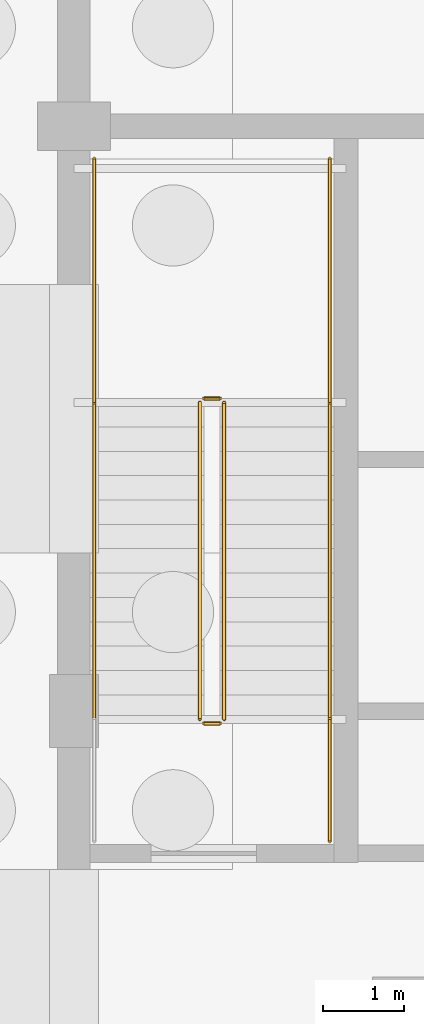
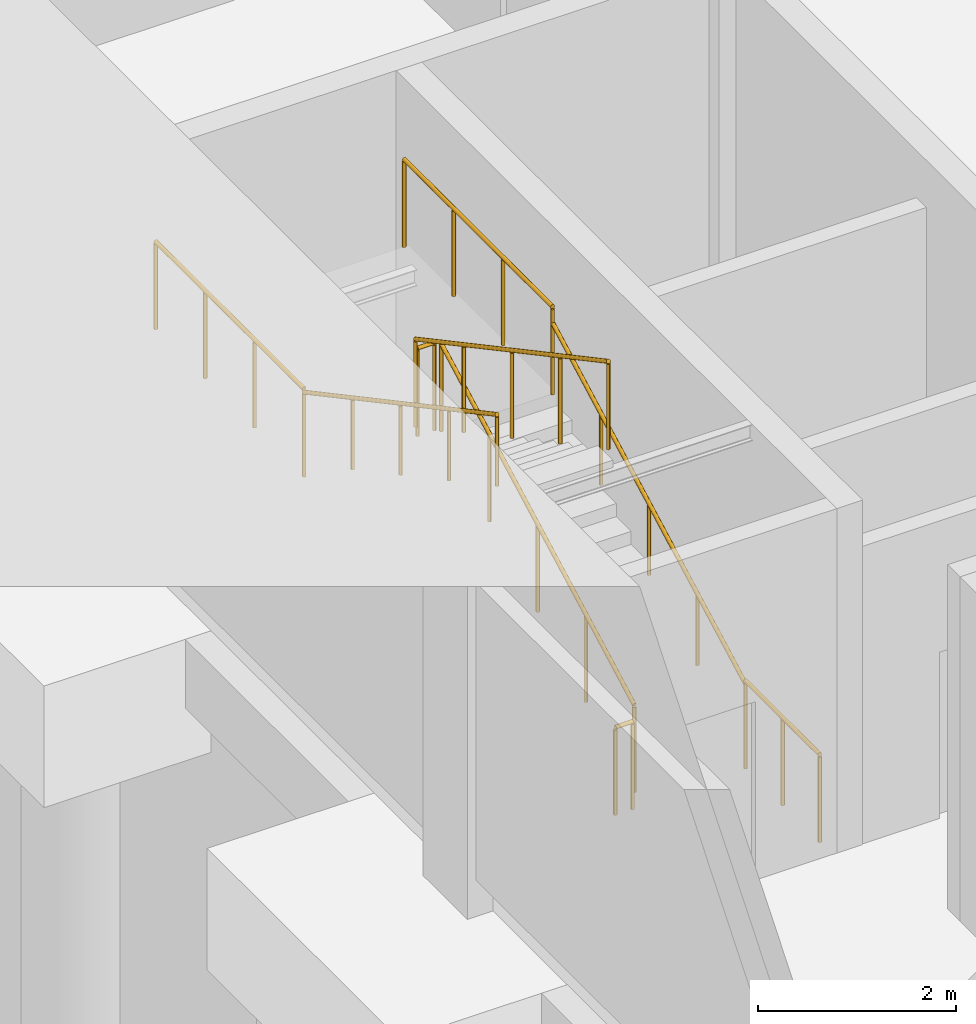
# One storey, part 44 of 51: 9 railings.
"""IFC4 building model written with IfcOpenShell, lengths in metres."""

from ifc_helpers import new_model, si_unit, direction, frame, origin, origin_2d, place, context, subcontext, project, spatial, circle, extrude, material, type_object, element, save


model = new_model("IFC4")

# Units and contexts
model_context = context("Model", 3, precision=1e-05, world=origin(), true_north=direction((0.0, 1.0)))
body_context = subcontext(model_context, "Body", "Model", "MODEL_VIEW")
ifc_project = project(units=[si_unit("LENGTHUNIT", "METRE"), si_unit("AREAUNIT", "SQUARE_METRE"), si_unit("VOLUMEUNIT", "CUBIC_METRE"), si_unit("PLANEANGLEUNIT", "RADIAN"), si_unit("MASSUNIT", "GRAM", prefix="KILO")], contexts=[model_context])

# Site, building, storey
site_placement = place(None, origin())
site = spatial("IfcSite", under=ifc_project, at=site_placement, CompositionType="ELEMENT")
building_placement = place(site_placement, origin())
building = spatial("IfcBuilding", under=site, at=building_placement, Name="Zlatovets Crest Museum", CompositionType="ELEMENT")
storey_placement = place(building_placement, frame((0.0, 0.0, -4.5)))
storey = spatial("IfcBuildingStorey", under=building, at=storey_placement, Name="B1", CompositionType="ELEMENT", Elevation=-4.5)

# Railings
ifc_material_1 = material(Name="Painted steel safety guardrail", Category="steel")
railing_type_1 = type_object("IfcRailingType", Name="StairGuard_SG01", PredefinedType="GUARDRAIL", material=ifc_material_1)
railing_1_placement = place(storey_placement, frame((59.449951171875, 100.699951171875, 0.16064453125)))
element("IfcRailing", 1, at=railing_1_placement, inside=storey, type_object=railing_type_1, Name="B1 ST1 stair guard 1", PredefinedType="GUARDRAIL", context=body_context, shape_type="SweptSolid", body=[
    extrude(circle(Radius=0.02392578125, at=origin_2d()), frame((0.0, 0.0, 1.076171875), z_axis=(0.0, 0.881480790326, 0.47221988129), x_axis=(-1.0, 0.0, 0.0)), (0.0, 0.0, 1.0), 4.424560546875),
    extrude(circle(Radius=0.02099609375, at=origin_2d()), origin(), (0.0, 0.0, 1.0), 1.052001953125),
    extrude(circle(Radius=0.02099609375, at=origin_2d()), frame((0.0, 0.97509765625, 0.5224609375)), (0.0, 0.0, 1.0), 1.052001953125),
    extrude(circle(Radius=0.02099609375, at=origin_2d()), frame((0.0, 1.9501953125, 1.044677734375)), (0.0, 0.0, 1.0), 1.052001953125),
    extrude(circle(Radius=0.02099609375, at=origin_2d()), frame((0.0, 2.925048828125, 1.56689453125)), (0.0, 0.0, 1.0), 1.052001953125),
    extrude(circle(Radius=0.02099609375, at=origin_2d()), frame((0.0, 3.900146484375, 2.08935546875)), (0.0, 0.0, 1.0), 1.052001953125),
])
railing_2_placement = place(storey_placement, frame((59.39990234375, 104.64990234375, 2.25)))
element("IfcRailing", 2, at=railing_2_placement, inside=storey, type_object=railing_type_1, Name="B1 ST1 stair guard 2", PredefinedType="GUARDRAIL", context=body_context, shape_type="SweptSolid", body=[
    extrude(circle(Radius=0.02392578125, at=origin_2d()), frame((0.0, 0.0, 1.076171875), z_axis=(-1.0, 0.0, 0.0), x_axis=(0.0, -1.0, 0.0)), (0.0, 0.0, 1.0), 0.199951171875),
    extrude(circle(Radius=0.02099609375, at=origin_2d()), origin(), (0.0, 0.0, 1.0), 1.052001953125),
    extrude(circle(Radius=0.02099609375, at=origin_2d()), frame((-0.199951171875, 0.0, 0.0)), (0.0, 0.0, 1.0), 1.052001953125),
])
for number, where, name in (
    (3, (60.75, 104.60009765625, 2.25), "B1 ST1 stair guard 3"),
    (4, (57.85009765625, 104.60009765625, 2.25), "B1 ST1 stair guard 4"),
):
    element("IfcRailing", number, at=place(storey_placement, frame(where)), inside=storey, type_object=railing_type_1, Name=name, PredefinedType="GUARDRAIL", context=body_context, shape_type="SweptSolid", body=[
        extrude(circle(Radius=0.02392578125, at=origin_2d()), frame((0.0, 0.0, 1.076171875), z_axis=(0.0, 1.0, 0.0), x_axis=(-1.0, 0.0, 0.0)), (0.0, 0.0, 1.0), 3.0),
        extrude(circle(Radius=0.02099609375, at=origin_2d()), origin(), (0.0, 0.0, 1.0), 1.052001953125),
        extrude(circle(Radius=0.02099609375, at=origin_2d()), frame((0.0, 1.0, 0.0)), (0.0, 0.0, 1.0), 1.052001953125),
        extrude(circle(Radius=0.02099609375, at=origin_2d()), frame((0.0, 2.0, 0.0)), (0.0, 0.0, 1.0), 1.052001953125),
        extrude(circle(Radius=0.02099609375, at=origin_2d()), frame((0.0, 3.0, 0.0)), (0.0, 0.0, 1.0), 1.052001953125),
    ])
railing_3_placement = place(storey_placement, frame((59.14990234375, 104.60009765625, 2.41064453125)))
element("IfcRailing", 5, at=railing_3_placement, inside=storey, type_object=railing_type_1, Name="B1 ST1 stair guard 5", PredefinedType="GUARDRAIL", context=body_context, shape_type="SweptSolid", body=[
    extrude(circle(Radius=0.02392578125, at=origin_2d()), frame((0.0, 0.0, 1.076171875), z_axis=(0.0, -0.881480790326, 0.47221988129), x_axis=(1.0, 0.0, 0.0)), (0.0, 0.0, 1.0), 4.424560546875),
    extrude(circle(Radius=0.02099609375, at=origin_2d()), origin(), (0.0, 0.0, 1.0), 1.052001953125),
    extrude(circle(Radius=0.02099609375, at=origin_2d()), frame((0.0, -0.97509765625, 0.5224609375)), (0.0, 0.0, 1.0), 1.052001953125),
    extrude(circle(Radius=0.02099609375, at=origin_2d()), frame((0.0, -1.9501953125, 1.044677734375)), (0.0, 0.0, 1.0), 1.052001953125),
    extrude(circle(Radius=0.02099609375, at=origin_2d()), frame((0.0, -2.925048828125, 1.56689453125)), (0.0, 0.0, 1.0), 1.052001953125),
    extrude(circle(Radius=0.02099609375, at=origin_2d()), frame((0.0, -3.900146484375, 2.08935546875)), (0.0, 0.0, 1.0), 1.052001953125),
])
railing_4_placement = place(storey_placement, frame((59.39990234375, 100.64990234375, 0.0)))
element("IfcRailing", 6, at=railing_4_placement, inside=storey, type_object=railing_type_1, Name="B1 ST1 stair guard 6", PredefinedType="GUARDRAIL", context=body_context, shape_type="SweptSolid", body=[
    extrude(circle(Radius=0.02392578125, at=origin_2d()), frame((0.0, 0.0, 1.076171875), z_axis=(-1.0, 0.0, 0.0), x_axis=(0.0, -1.0, 0.0)), (0.0, 0.0, 1.0), 0.199951171875),
    extrude(circle(Radius=0.02099609375, at=origin_2d()), origin(), (0.0, 0.0, 1.0), 1.052001953125),
    extrude(circle(Radius=0.02099609375, at=origin_2d()), frame((-0.199951171875, 0.0, 0.0)), (0.0, 0.0, 1.0), 1.052001953125),
])
railing_5_placement = place(storey_placement, frame((60.75, 99.199951171875, 0.0)))
element("IfcRailing", 7, at=railing_5_placement, inside=storey, type_object=railing_type_1, Name="B1 ST1 stair guard 7", PredefinedType="GUARDRAIL", context=body_context, shape_type="SweptSolid", body=[
    extrude(circle(Radius=0.02392578125, at=origin_2d()), frame((0.0, 0.0, 1.076171875), z_axis=(0.0, 1.0, 0.0), x_axis=(-1.0, 0.0, 0.0)), (0.0, 0.0, 1.0), 1.5),
    extrude(circle(Radius=0.02099609375, at=origin_2d()), origin(), (0.0, 0.0, 1.0), 1.052001953125),
    extrude(circle(Radius=0.02099609375, at=origin_2d()), frame((0.0, 0.75, 0.0)), (0.0, 0.0, 1.0), 1.052001953125),
    extrude(circle(Radius=0.02099609375, at=origin_2d()), frame((0.0, 1.5, 0.0)), (0.0, 0.0, 1.0), 1.052001953125),
])
ifc_material_2 = material(Name="Brushed bronze stair handrail")
railing_type_2 = type_object("IfcRailingType", Name="StairHandrail_SH01", PredefinedType="HANDRAIL", material=ifc_material_2)
railing_6_placement = place(storey_placement, frame((60.75, 100.699951171875, 0.16064453125)))
element("IfcRailing", 8, at=railing_6_placement, inside=storey, type_object=railing_type_2, Name="B1 ST1 stair handrail 1", PredefinedType="HANDRAIL", context=body_context, shape_type="SweptSolid", body=[
    extrude(circle(Radius=0.02392578125, at=origin_2d()), frame((0.0, 0.0, 0.8759765625), z_axis=(0.0, 0.881480790326, 0.47221988129), x_axis=(-1.0, 0.0, 0.0)), (0.0, 0.0, 1.0), 4.424560546875),
    extrude(circle(Radius=0.02099609375, at=origin_2d()), origin(), (0.0, 0.0, 1.0), 0.851806640625),
    extrude(circle(Radius=0.02099609375, at=origin_2d()), frame((0.0, 0.97509765625, 0.5224609375)), (0.0, 0.0, 1.0), 0.851806640625),
    extrude(circle(Radius=0.02099609375, at=origin_2d()), frame((0.0, 1.9501953125, 1.044677734375)), (0.0, 0.0, 1.0), 0.851806640625),
    extrude(circle(Radius=0.02099609375, at=origin_2d()), frame((0.0, 2.925048828125, 1.56689453125)), (0.0, 0.0, 1.0), 0.851806640625),
    extrude(circle(Radius=0.02099609375, at=origin_2d()), frame((0.0, 3.900146484375, 2.08935546875)), (0.0, 0.0, 1.0), 0.851806640625),
])
railing_7_placement = place(storey_placement, frame((57.85009765625, 104.60009765625, 2.41064453125)))
element("IfcRailing", 9, at=railing_7_placement, inside=storey, type_object=railing_type_2, Name="B1 ST1 stair handrail 2", PredefinedType="HANDRAIL", context=body_context, shape_type="SweptSolid", body=[
    extrude(circle(Radius=0.02392578125, at=origin_2d()), frame((0.0, 0.0, 0.8759765625), z_axis=(0.0, -0.881480790326, 0.47221988129), x_axis=(1.0, 0.0, 0.0)), (0.0, 0.0, 1.0), 4.424560546875),
    extrude(circle(Radius=0.02099609375, at=origin_2d()), origin(), (0.0, 0.0, 1.0), 0.851806640625),
    extrude(circle(Radius=0.02099609375, at=origin_2d()), frame((0.0, -0.97509765625, 0.5224609375)), (0.0, 0.0, 1.0), 0.851806640625),
    extrude(circle(Radius=0.02099609375, at=origin_2d()), frame((0.0, -1.9501953125, 1.044677734375)), (0.0, 0.0, 1.0), 0.851806640625),
    extrude(circle(Radius=0.02099609375, at=origin_2d()), frame((0.0, -2.925048828125, 1.56689453125)), (0.0, 0.0, 1.0), 0.851806640625),
    extrude(circle(Radius=0.02099609375, at=origin_2d()), frame((0.0, -3.900146484375, 2.08935546875)), (0.0, 0.0, 1.0), 0.851806640625),
])

save(model, "model.ifc")
